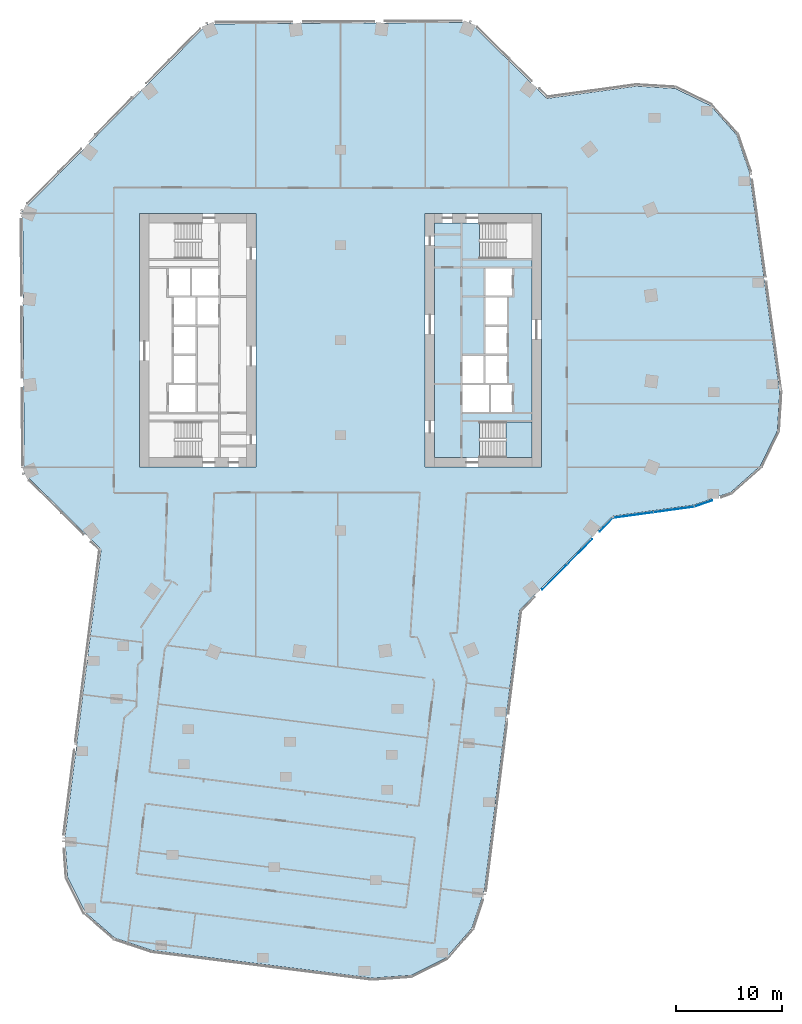
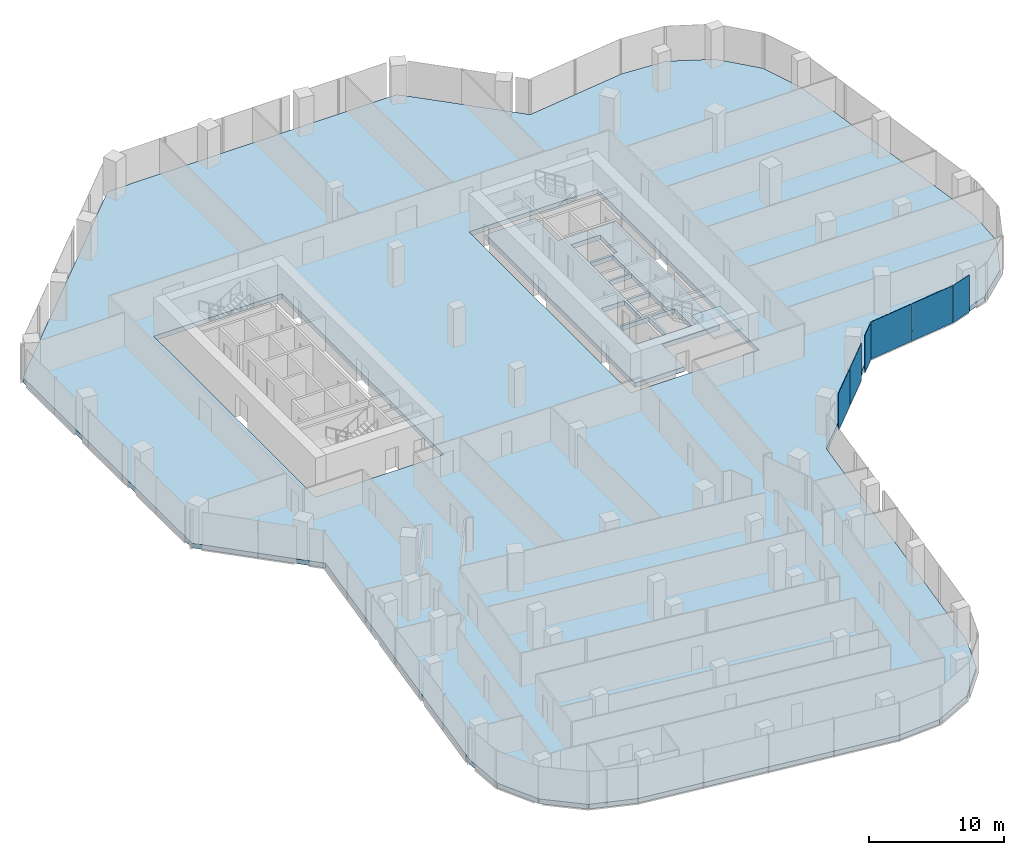
# One storey, part 15 of 27: 6 plates, 3 slabs, 4 elements without a shape of their own.
"""IFC4 building model written with IfcOpenShell, lengths in metres."""

from ifc_helpers import new_model, si_unit, direction, frame, origin, origin_2d, place, context, subcontext, project, spatial, polyline, rectangle, outline, extrude, material, layer, layer_set, type_object, element, aggregate, save


model = new_model("IFC4")

# Units and contexts
model_context = context("Model", 3, precision=1e-05, world=origin(), true_north=direction((0.0, 1.0)))
body_context = subcontext(model_context, "Body", "Model", "MODEL_VIEW")
ifc_project = project(units=[si_unit("LENGTHUNIT", "METRE"), si_unit("AREAUNIT", "SQUARE_METRE"), si_unit("VOLUMEUNIT", "CUBIC_METRE"), si_unit("PLANEANGLEUNIT", "RADIAN"), si_unit("MASSUNIT", "GRAM", prefix="KILO")], contexts=[model_context])

# Site, building, storey
site_placement = place(None, origin())
site = spatial("IfcSite", under=ifc_project, at=site_placement, CompositionType="ELEMENT")
building_placement = place(site_placement, origin())
building = spatial("IfcBuilding", under=site, at=building_placement, Name="Orlundy Tower", CompositionType="ELEMENT")
storey_placement = place(building_placement, frame((0.0, 0.0, 195.60009765625)))
storey = spatial("IfcBuildingStorey", under=building, at=storey_placement, Name="L51", CompositionType="ELEMENT", Elevation=195.60009765625)

# Curtain wall, plate
ifc_material_1 = material(Name="Aluminium bronze anodised", Category="aluminium")
curtain_wall_type = type_object("IfcCurtainWallType", Name="CW1 wall", PredefinedType="NOTDEFINED", material=ifc_material_1)
curtain_wall_1_placement = place(storey_placement, origin())
curtain_wall_1 = element("IfcCurtainWall", 1, at=curtain_wall_1_placement, inside=storey, type_object=curtain_wall_type, Name="CW1 run 015", PredefinedType="NOTDEFINED")
ifc_material_2 = material(Name="Tinted glass", Category="glass")
ifc_layer_1 = layer(ifc_material_2, 0.031982421875)
ifc_layer_set_1 = layer_set([ifc_layer_1], Name="CW1 glass panel 32")
plate_type = type_object("IfcPlateType", Name="CW1 glass panel 32", PredefinedType="CURTAIN_PANEL", material=ifc_layer_set_1)
plate_1_placement = place(storey_placement, frame((34.3330078125, -15.451416015625, -0.300048828125), z_axis=(0.0, 0.0, 1.0), x_axis=(-0.945034174317, -0.32697157273, 0.0)))
plate_1 = element("IfcPlate", 2, at=plate_1_placement, type_object=plate_type, Name="CW1 panel", PredefinedType="CURTAIN_PANEL", context=body_context, shape_type="SweptSolid", body=[
    extrude(rectangle(XDim=1.764892578125, YDim=0.031982421875, at=origin_2d()), origin(), (0.0, 0.0, 1.0), 3.3798828125),
])
aggregate(curtain_wall_1, [plate_1])

# Curtain wall, plates
curtain_wall_2_placement = place(storey_placement, origin())
curtain_wall_2 = element("IfcCurtainWall", 3, at=curtain_wall_2_placement, inside=storey, type_object=curtain_wall_type, Name="CW1 run 016", PredefinedType="NOTDEFINED")
plate_2_placement = place(storey_placement, frame((31.539306640625, -16.0146484375, -0.300048828125), z_axis=(0.0, 0.0, 1.0), x_axis=(-0.990668435814, -0.13629398476, 0.0)))
plate_2 = element("IfcPlate", 4, at=plate_2_placement, type_object=plate_type, Name="CW1 panel", PredefinedType="CURTAIN_PANEL", context=body_context, shape_type="SweptSolid", body=[
    extrude(rectangle(XDim=3.8583984375, YDim=0.031982421875, at=origin_2d()), origin(), (0.0, 0.0, 1.0), 3.3798828125),
])
plate_3_placement = place(storey_placement, frame((27.6904296875, -16.544189453125, -0.300048828125), z_axis=(0.0, 0.0, 1.0), x_axis=(-0.990668435814, -0.13629398476, 0.0)))
plate_3 = element("IfcPlate", 5, at=plate_3_placement, type_object=plate_type, Name="CW1 panel", PredefinedType="CURTAIN_PANEL", context=body_context, shape_type="SweptSolid", body=[
    extrude(rectangle(XDim=3.811767578125, YDim=0.031982421875, at=origin_2d()), origin(), (0.0, 0.0, 1.0), 3.3798828125),
])
aggregate(curtain_wall_2, [plate_2, plate_3])

curtain_wall_3_placement = place(storey_placement, origin())
curtain_wall_3 = element("IfcCurtainWall", 6, at=curtain_wall_3_placement, inside=storey, type_object=curtain_wall_type, Name="CW1 run 017", PredefinedType="NOTDEFINED")
plate_4_placement = place(storey_placement, frame((25.166259765625, -17.44775390625, -0.300048828125), z_axis=(0.0, 0.0, 1.0), x_axis=(-0.702970467781, -0.711219038994, 0.0)))
plate_4 = element("IfcPlate", 7, at=plate_4_placement, type_object=plate_type, Name="CW1 panel", PredefinedType="CURTAIN_PANEL", context=body_context, shape_type="SweptSolid", body=[
    extrude(rectangle(XDim=1.810302734375, YDim=0.031982421875, at=origin_2d()), origin(), (0.0, 0.0, 1.0), 3.3798828125),
])
plate_5_placement = place(storey_placement, frame((22.641357421875, -20.002197265625, -0.300048828125), z_axis=(0.0, 0.0, 1.0), x_axis=(-0.702970467781, -0.711219038994, 0.0)))
plate_5 = element("IfcPlate", 8, at=plate_5_placement, type_object=plate_type, Name="CW1 panel", PredefinedType="CURTAIN_PANEL", context=body_context, shape_type="SweptSolid", body=[
    extrude(rectangle(XDim=3.33203125, YDim=0.031982421875, at=origin_2d()), origin(), (0.0, 0.0, 1.0), 3.3798828125),
])
plate_6_placement = place(storey_placement, frame((20.263916015625, -22.407470703125, -0.300048828125), z_axis=(0.0, 0.0, 1.0), x_axis=(-0.702970467781, -0.711219038994, 0.0)))
plate_6 = element("IfcPlate", 9, at=plate_6_placement, type_object=plate_type, Name="CW1 panel", PredefinedType="CURTAIN_PANEL", context=body_context, shape_type="SweptSolid", body=[
    extrude(rectangle(XDim=3.33203125, YDim=0.031982421875, at=origin_2d()), origin(), (0.0, 0.0, 1.0), 3.3798828125),
])
aggregate(curtain_wall_3, [plate_4, plate_5, plate_6])

# Slab
ifc_material_3 = material(Name="Concrete C50/60", Category="concrete")
ifc_layer_2 = layer(ifc_material_3, 0.419921875)
ifc_layer_set_2 = layer_set([ifc_layer_2], Name="Core Floor Slab 420")
slab_type_1 = type_object("IfcSlabType", Name="Core Floor Slab 420", PredefinedType="FLOOR", material=ifc_layer_set_2)
slab_1_placement = place(storey_placement, frame((0.0, 0.0, -0.420166015625)))
element("IfcSlab", 10, at=slab_1_placement, inside=storey, type_object=slab_type_1, Name="Core floor E39", PredefinedType="FLOOR", context=body_context, shape_type="SweptSolid", body=[
    extrude(outline(polyline([(13.14501953125, 11.10009765625), (13.14501953125, 7.75), (18.10009765625, 7.75), (18.10009765625, -7.75), (13.14501953125, -7.75), (13.14501953125, -11.10009765625), (8.89990234375, -11.10009765625), (8.89990234375, 11.10009765625), (13.14501953125, 11.10009765625)]), holes=[polyline([(13.739990234375, 4.22509765625), (16.239990234375, 4.22509765625), (16.239990234375, 6.77490234375), (13.739990234375, 6.77490234375), (13.739990234375, 4.22509765625)]), polyline([(13.739990234375, 4.02490234375), (13.739990234375, 1.47509765625), (15.739990234375, 1.47509765625), (15.739990234375, 4.02490234375), (13.739990234375, 4.02490234375)]), polyline([(15.739990234375, 1.27490234375), (13.739990234375, 1.27490234375), (13.739990234375, -1.27490234375), (15.739990234375, -1.27490234375), (15.739990234375, 1.27490234375)]), polyline([(13.5400390625, -4.02490234375), (13.5400390625, -1.47509765625), (11.5400390625, -1.47509765625), (11.5400390625, -4.02490234375), (13.5400390625, -4.02490234375)]), polyline([(13.739990234375, -4.02490234375), (15.739990234375, -4.02490234375), (15.739990234375, -1.47509765625), (13.739990234375, -1.47509765625), (13.739990234375, -4.02490234375)]), polyline([(11.5400390625, -4.22509765625), (11.5400390625, -6.77490234375), (14.0400390625, -6.77490234375), (14.0400390625, -4.22509765625), (11.5400390625, -4.22509765625)]), polyline([(16.239990234375, -4.22509765625), (14.239990234375, -4.22509765625), (14.239990234375, -6.77490234375), (16.239990234375, -6.77490234375), (16.239990234375, -4.22509765625)])]), origin(), (0.0, 0.0, 1.0), 0.420166015625),
])

# Stair, slab
ifc_material_4 = material(Name="Concrete C50/60", Category="concrete")
stair_type = type_object("IfcStairType", Name="Exit Stair 20 risers", PredefinedType="HALF_TURN_STAIR", material=ifc_material_4)
stair_placement = place(storey_placement, origin())
stair = element("IfcStair", 11, at=stair_placement, inside=storey, type_object=stair_type, Name="L51 Exit Stair ST-E1", PredefinedType="HALF_TURN_STAIR")
ifc_material_5 = material(Name="Concrete C50/60", Category="concrete")
ifc_layer_3 = layer(ifc_material_5, 0.199951171875)
ifc_layer_set_3 = layer_set([ifc_layer_3], Name="Exit Stair Landing")
slab_type_2 = type_object("IfcSlabType", Name="Exit Stair Landing", PredefinedType="LANDING", material=ifc_layer_set_3)
slab_2_placement = place(storey_placement, frame((0.0, 0.0, 1.5498046875)))
slab_2 = element("IfcSlab", 12, at=slab_2_placement, type_object=slab_type_2, Name="ST-E1 landing 1", PredefinedType="LANDING", context=body_context, shape_type="SweptSolid", body=[
    extrude(outline(polyline([(15.659912109375, -11.10009765625), (18.10009765625, -11.10009765625), (18.10009765625, -7.75), (15.659912109375, -7.75), (15.659912109375, -11.10009765625)])), origin(), (0.0, 0.0, 1.0), 0.2001953125),
])
aggregate(stair, [slab_2])

# Slab
ifc_material_6 = material(Name="Concrete C45/55", Category="concrete")
ifc_layer_4 = layer(ifc_material_6, 0.419921875)
ifc_layer_set_4 = layer_set([ifc_layer_4], Name="TRANSFER FLOOR SLAB 420 C45/55")
slab_type_3 = type_object("IfcSlabType", Name="TRANSFER FLOOR SLAB 420 C45/55", PredefinedType="FLOOR", material=ifc_layer_set_4)
slab_3_placement = place(storey_placement, frame((0.0, 0.0, -0.420166015625)))
element("IfcSlab", 13, at=slab_3_placement, inside=storey, type_object=slab_type_3, Name="Floor slab L51", PredefinedType="FLOOR", context=body_context, shape_type="SweptSolid", body=[
    extrude(outline(polyline([(-22.64697265625, -19.797119140625), (-29.927001953125, -12.60107421875), (-30.072021484375, 12.251953125), (-12.60107421875, 29.927001953125), (12.251953125, 30.072021484375), (19.531982421875, 22.8759765625), (27.985107421875, 24.0380859375), (31.68505859375, 23.818115234375), (35.01904296875, 22.197021484375), (37.47900390625, 19.425048828125), (38.69091796875, 15.922119140625), (41.552978515625, -4.882080078125), (41.33203125, -8.58203125), (39.7119140625, -11.916015625), (36.93994140625, -14.3759765625), (33.43701171875, -15.587890625), (25.72509765625, -16.64892578125), (16.947021484375, -25.530029296875), (13.60595703125, -52.10400390625), (12.43505859375, -55.62109375), (10.007080078125, -58.422119140625), (6.69189453125, -60.0810546875), (2.9951171875, -60.344970703125), (-17.841064453125, -57.72509765625), (-21.35791015625, -56.553955078125), (-24.158935546875, -54.1259765625), (-25.818115234375, -50.81201171875), (-26.08203125, -47.114013671875), (-22.64697265625, -19.797119140625)]), holes=[polyline([(-8.0, -12.0), (-8.0, 12.0), (-19.0, 12.0), (-19.0, -12.0), (-8.0, -12.0)]), polyline([(19.0, -12.0), (19.0, 12.0), (8.0, 12.0), (8.0, -12.0), (19.0, -12.0)])]), origin(), (0.0, 0.0, 1.0), 0.420166015625),
])

save(model, "model.ifc")
